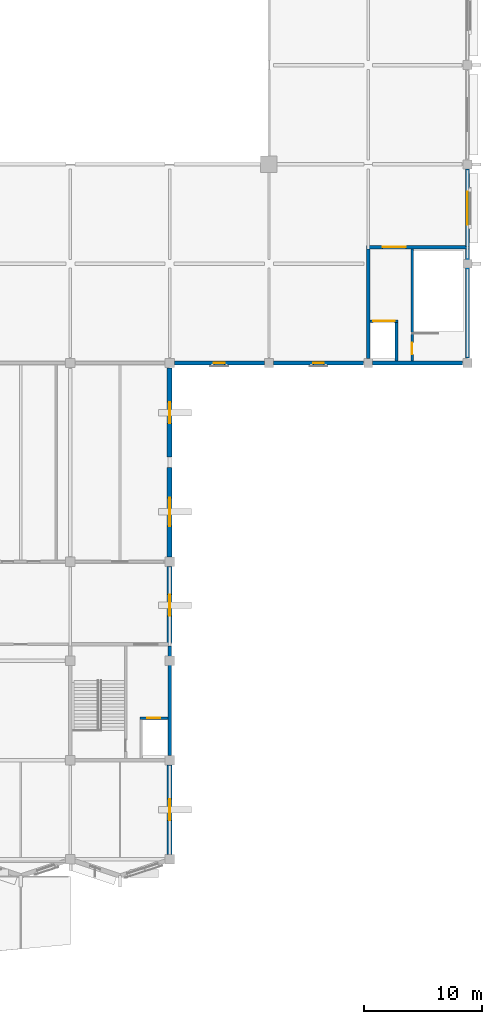
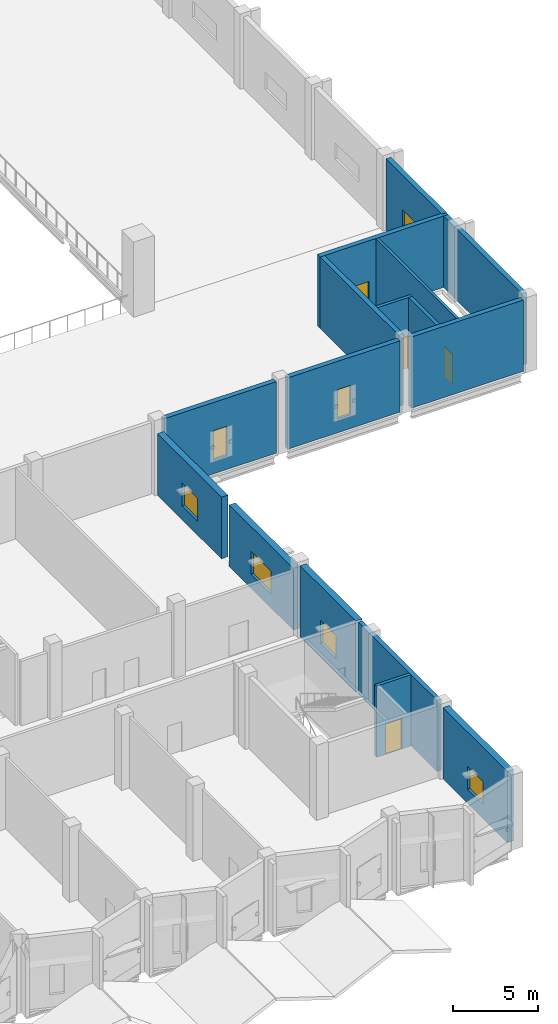
# One storey, part 58 of 72: 16 walls, 7 windows, 4 doors, 11 openings.
"""IFC4 building model written with IfcOpenShell, lengths in metres."""

from ifc_helpers import new_model, si_unit, direction, frame, frame_2d, origin, place, context, subcontext, project, spatial, rectangle, extrude, material, layer, layer_set, type_object, element, fill, save


model = new_model("IFC4")

# Units and contexts
model_context = context("Model", 3, precision=1e-05, world=origin(), true_north=direction((0.0, 1.0)))
body_context = subcontext(model_context, "Body", "Model", "MODEL_VIEW")
ifc_project = project(units=[si_unit("LENGTHUNIT", "METRE"), si_unit("AREAUNIT", "SQUARE_METRE"), si_unit("VOLUMEUNIT", "CUBIC_METRE"), si_unit("PLANEANGLEUNIT", "RADIAN"), si_unit("MASSUNIT", "GRAM", prefix="KILO")], contexts=[model_context])

# Site, building, storey
site_placement = place(None, origin())
site = spatial("IfcSite", under=ifc_project, at=site_placement, CompositionType="ELEMENT")
building_placement = place(site_placement, origin())
building = spatial("IfcBuilding", under=site, at=building_placement, Name="Qawsi Khor Wholesale Market", CompositionType="ELEMENT")
storey_placement = place(building_placement, frame((0.0, 0.0, 6.0)))
storey = spatial("IfcBuildingStorey", under=building, at=storey_placement, Name="L01", CompositionType="ELEMENT", Elevation=6.0)

# Wall
ifc_material_1 = material(Name="Concrete C40/50", Category="concrete")
ifc_layer_1 = layer(ifc_material_1, 0.300048828125, Name="Concrete C40/50")
ifc_layer_set_1 = layer_set([ifc_layer_1], Name="Concrete C40/50")
wall_type_1 = type_object("IfcWallType", Name="Core Shear Wall RC 300 C40/50", PredefinedType="SHEAR", material=ifc_layer_set_1)
wall_1_placement = place(storey_placement, frame((193.199951171875, 18.050048828125, 0.0), z_axis=(0.0, 0.0, 1.0), x_axis=(0.0, -1.0, 0.0)))
element("IfcWall", 1, at=wall_1_placement, inside=storey, type_object=wall_type_1, Name="Core C06 east shear wall L01", PredefinedType="SHEAR", context=body_context, shape_type="SweptSolid", body=[
    extrude(rectangle(XDim=9.2451171875, YDim=0.300048828125, at=frame_2d((4.62255859375, 0.0))), origin(), (0.0, 0.0, 1.0), 5.1201171875),
])

# Wall, opening, window
ifc_layer_2 = layer(ifc_material_1, 0.330078125, Name="Concrete C40/50")
ifc_layer_set_2 = layer_set([ifc_layer_2], Name="Concrete C40/50")
wall_type_2 = type_object("IfcWallType", Name="Fish Hall Precast Insulated Wall 330", PredefinedType="SOLIDWALL", material=ifc_layer_set_2)
wall_2_placement = place(storey_placement, frame((218.39990234375, 58.419921875, 0.0), z_axis=(0.0, 0.0, 1.0), x_axis=(0.0, -1.0, 0.0)))
wall_2 = element("IfcWall", 2, at=wall_2_placement, inside=storey, type_object=wall_type_2, Name="EW-L01-EHE-06", PredefinedType="SOLIDWALL", context=body_context, shape_type="SweptSolid", body=[
    extrude(rectangle(XDim=6.56982421875, YDim=0.330078125, at=frame_2d((3.284912109375, 0.0))), origin(), (0.0, 0.0, 1.0), 5.1298828125),
])
opening_1_placement = place(wall_2_placement, frame((1.93505859375, 0.0, 1.5)))
opening_1 = element("IfcOpeningElement", 3, at=opening_1_placement, cuts=wall_2, Name="Opening W-15", PredefinedType="OPENING", context=body_context, shape_type="SweptSolid", body=[
    extrude(rectangle(XDim=2.800048828125, YDim=1.14990234375, at=frame_2d((1.39990234375, 0.574951171875))), frame((0.0, 0.175048828125, 0.0), z_axis=(0.0, -1.0, 0.0), x_axis=(1.0, 0.0, 0.0)), (0.0, 0.0, 1.0), 0.35009765625),
])
ifc_material_2 = material(Name="Thermally Broken Aluminium & Low-E Glass", Category="aluminium")
window_type_1 = type_object("IfcWindowType", Name="Win W-15 Fish Hall High Vent 2800x1150", PartitioningType="SINGLE_PANEL", PredefinedType="WINDOW", material=ifc_material_2)
window_1_placement = place(opening_1_placement, origin())
window_1 = element("IfcWindow", 4, at=window_1_placement, inside=storey, type_object=window_type_1, Name="Win W-15 Fish Hall High Vent 2800x1150 184", OverallHeight=1.14990234375, OverallWidth=2.800048828125, PartitioningType="SINGLE_PANEL", PredefinedType="WINDOW", context=body_context, shape_type="SweptSolid", body=[
    extrude(rectangle(XDim=2.800048828125, YDim=1.14990234375, at=frame_2d((1.39990234375, 0.574951171875))), frame((0.0, 0.030029296875, 0.0), z_axis=(0.0, -1.0, 0.0), x_axis=(1.0, 0.0, 0.0)), (0.0, 0.0, 1.0), 0.06005859375),
])
fill(opening_1, window_1)

wall_3_placement = place(storey_placement, frame((201.219970703125, 42.0, 0.0), z_axis=(0.0, 0.0, 1.0), x_axis=(-1.0, 0.0, 0.0)))
wall_3 = element("IfcWall", 5, at=wall_3_placement, inside=storey, type_object=wall_type_2, Name="EW-L01-EHS-23", PredefinedType="SOLIDWALL", context=body_context, shape_type="SweptSolid", body=[
    extrude(rectangle(XDim=7.614990234375, YDim=0.330078125, at=frame_2d((3.8076171875, 0.0))), origin(), (0.0, 0.0, 1.0), 5.1298828125),
])
opening_2_placement = place(wall_3_placement, frame((3.3701171875, 0.0, 1.0)))
opening_2 = element("IfcOpeningElement", 6, at=opening_2_placement, cuts=wall_3, Name="Opening W-02", PredefinedType="OPENING", context=body_context, shape_type="SweptSolid", body=[
    extrude(rectangle(XDim=0.89990234375, YDim=2.10009765625, at=frame_2d((0.449951171875, 1.050048828125))), frame((0.0, 0.175048828125, 0.0), z_axis=(0.0, -1.0, 0.0), x_axis=(1.0, 0.0, 0.0)), (0.0, 0.0, 1.0), 0.35009765625),
])
window_type_2 = type_object("IfcWindowType", Name="Win W-02 Deep-Set Narrow 900x2100", PartitioningType="SINGLE_PANEL", PredefinedType="WINDOW", material=ifc_material_2)
window_2_placement = place(opening_2_placement, origin())
window_2 = element("IfcWindow", 7, at=window_2_placement, inside=storey, type_object=window_type_2, Name="Win W-02 Deep-Set Narrow 900x2100 190", OverallHeight=2.10009765625, OverallWidth=0.89990234375, PartitioningType="SINGLE_PANEL", PredefinedType="WINDOW", context=body_context, shape_type="SweptSolid", body=[
    extrude(rectangle(XDim=0.89990234375, YDim=2.10009765625, at=frame_2d((0.449951171875, 1.050048828125))), frame((0.0, 0.030029296875, 0.0), z_axis=(0.0, -1.0, 0.0), x_axis=(1.0, 0.0, 0.0)), (0.0, 0.0, 1.0), 0.06005859375),
])
fill(opening_2, window_2)

wall_4_placement = place(storey_placement, frame((209.6201171875, 42.0, 0.0), z_axis=(0.0, 0.0, 1.0), x_axis=(-1.0, 0.0, 0.0)))
wall_4 = element("IfcWall", 8, at=wall_4_placement, inside=storey, type_object=wall_type_2, Name="EW-L01-EHS-24", PredefinedType="SOLIDWALL", context=body_context, shape_type="SweptSolid", body=[
    extrude(rectangle(XDim=7.64013671875, YDim=0.330078125, at=frame_2d((3.820068359375, 0.0))), origin(), (0.0, 0.0, 1.0), 5.1298828125),
])
opening_3_placement = place(wall_4_placement, frame((3.3701171875, 0.0, 1.0)))
opening_3 = element("IfcOpeningElement", 9, at=opening_3_placement, cuts=wall_4, Name="Opening W-02", PredefinedType="OPENING", context=body_context, shape_type="SweptSolid", body=[
    extrude(rectangle(XDim=0.89990234375, YDim=2.10009765625, at=frame_2d((0.449951171875, 1.050048828125))), frame((0.0, 0.175048828125, 0.0), z_axis=(0.0, -1.0, 0.0), x_axis=(1.0, 0.0, 0.0)), (0.0, 0.0, 1.0), 0.35009765625),
])
window_3_placement = place(opening_3_placement, origin())
window_3 = element("IfcWindow", 10, at=window_3_placement, inside=storey, type_object=window_type_2, Name="Win W-02 Deep-Set Narrow 900x2100 191", OverallHeight=2.10009765625, OverallWidth=0.89990234375, PartitioningType="SINGLE_PANEL", PredefinedType="WINDOW", context=body_context, shape_type="SweptSolid", body=[
    extrude(rectangle(XDim=0.89990234375, YDim=2.10009765625, at=frame_2d((0.449951171875, 1.050048828125))), frame((0.0, 0.030029296875, 0.0), z_axis=(0.0, -1.0, 0.0), x_axis=(1.0, 0.0, 0.0)), (0.0, 0.0, 1.0), 0.06005859375),
])
fill(opening_3, window_3)

# Walls
ifc_layer_3 = layer(ifc_material_1, 0.320068359375, Name="Concrete C40/50")
ifc_layer_set_3 = layer_set([ifc_layer_3], Name="Concrete C40/50")
wall_type_3 = type_object("IfcWallType", Name="Hall Lateral Shear Wall RC 320 C40/50", PredefinedType="SHEAR", material=ifc_layer_set_3)
wall_5_placement = place(storey_placement, frame((217.9951171875, 42.0, 0.0), z_axis=(0.0, 0.0, 1.0), x_axis=(-1.0, 0.0, 0.0)))
element("IfcWall", 11, at=wall_5_placement, inside=storey, type_object=wall_type_3, Name="Core C11 south shear wall L01", PredefinedType="SHEAR", context=body_context, shape_type="SweptSolid", body=[
    extrude(rectangle(XDim=7.615234375, YDim=0.320068359375, at=frame_2d((3.8076171875, 0.0))), origin(), (0.0, 0.0, 1.0), 5.1201171875),
])
wall_6_placement = place(storey_placement, frame((210.0, 42.3798828125, 0.0), z_axis=(0.0, 0.0, 1.0), x_axis=(0.0, 1.0, 0.0)))
element("IfcWall", 12, at=wall_6_placement, inside=storey, type_object=wall_type_3, Name="Core C11 west shear wall L01", PredefinedType="SHEAR", context=body_context, shape_type="SweptSolid", body=[
    extrude(rectangle(XDim=9.260009765625, YDim=0.320068359375, at=frame_2d((4.6298828125, 0.0))), origin(), (0.0, 0.0, 1.0), 5.1201171875),
])

# Wall, opening, door
wall_7_placement = place(storey_placement, frame((209.840087890625, 51.800048828125, 0.0), z_axis=(0.0, 0.0, 1.0), x_axis=(1.0, 0.0, 0.0)))
wall_7 = element("IfcWall", 13, at=wall_7_placement, inside=storey, type_object=wall_type_3, Name="Core C11 north shear wall L01", PredefinedType="SHEAR", context=body_context, shape_type="SweptSolid", body=[
    extrude(rectangle(XDim=8.719970703125, YDim=0.320068359375, at=frame_2d((4.35986328125, 0.0))), origin(), (0.0, 0.0, 1.0), 5.1201171875),
])
opening_4_placement = place(wall_7_placement, frame((1.3798828125, 0.0, 0.0)))
opening_4 = element("IfcOpeningElement", 14, at=opening_4_placement, cuts=wall_7, Name="Opening ID-01", PredefinedType="OPENING", context=body_context, shape_type="SweptSolid", body=[
    extrude(rectangle(XDim=1.9599609375, YDim=2.199951171875, at=frame_2d((0.97998046875, 1.10009765625))), frame((0.0, 0.169921875, 0.0), z_axis=(0.0, -1.0, 0.0), x_axis=(1.0, 0.0, 0.0)), (0.0, 0.0, 1.0), 0.340087890625),
])
ifc_material_3 = material(Name="Steel Fire Door", Category="steel")
door_type_1 = type_object("IfcDoorType", Name="Stair & Core Fire Door 1960x2200 FD90S", OperationType="NOTDEFINED", PredefinedType="DOOR", material=ifc_material_3)
door_1_placement = place(opening_4_placement, origin())
door_1 = element("IfcDoor", 15, at=door_1_placement, inside=storey, type_object=door_type_1, Name="Core C11 fire door L01", OperationType="DOUBLE_DOOR_SINGLE_SWING", OverallHeight=2.199951171875, OverallWidth=1.9599609375, PredefinedType="DOOR", context=body_context, shape_type="SweptSolid", body=[
    extrude(rectangle(XDim=1.9599609375, YDim=2.199951171875, at=frame_2d((0.97998046875, 1.10009765625))), frame((0.0, 0.02490234375, 0.0), z_axis=(0.0, -1.0, 0.0), x_axis=(1.0, 0.0, 0.0)), (0.0, 0.0, 1.0), 0.050048828125),
])
fill(opening_4, door_1)

# Wall
wall_8_placement = place(storey_placement, frame((218.39990234375, 51.639892578125, 0.0), z_axis=(0.0, 0.0, 1.0), x_axis=(0.0, -1.0, 0.0)))
element("IfcWall", 16, at=wall_8_placement, inside=storey, type_object=wall_type_3, Name="Core C11 east shear wall L01", PredefinedType="SHEAR", context=body_context, shape_type="SweptSolid", body=[
    extrude(rectangle(XDim=9.23486328125, YDim=0.320068359375, at=frame_2d((4.617431640625, 0.0))), origin(), (0.0, 0.0, 1.0), 5.1201171875),
])

# Wall, opening, door
ifc_layer_4 = layer(ifc_material_1, 0.219970703125, Name="Concrete C40/50")
ifc_layer_set_4 = layer_set([ifc_layer_4], Name="Concrete C40/50")
wall_type_4 = type_object("IfcWallType", Name="Lift & Stair Shaft Wall RC 220", PredefinedType="SOLIDWALL", material=ifc_layer_set_4)
wall_9_placement = place(storey_placement, frame((190.699951171875, 11.949951171875, 0.0), z_axis=(0.0, 0.0, 1.0), x_axis=(1.0, 0.0, 0.0)))
wall_9 = element("IfcWall", 17, at=wall_9_placement, inside=storey, type_object=wall_type_4, Name="Lift PL-04 shaft wall N L01", PredefinedType="SOLIDWALL", context=body_context, shape_type="SweptSolid", body=[
    extrude(rectangle(XDim=2.340087890625, YDim=0.219970703125, at=frame_2d((1.169921875, 0.0))), origin(), (0.0, 0.0, 1.0), 5.1201171875),
])
opening_5_placement = place(wall_9_placement, frame((0.6201171875, 0.0, 0.0)))
opening_5 = element("IfcOpeningElement", 18, at=opening_5_placement, cuts=wall_9, Name="Opening LD-P110", PredefinedType="OPENING", context=body_context, shape_type="SweptSolid", body=[
    extrude(rectangle(XDim=1.10009765625, YDim=2.199951171875, at=frame_2d((0.550048828125, 1.10009765625))), frame((0.0, 0.119873046875, 0.0), z_axis=(0.0, -1.0, 0.0), x_axis=(1.0, 0.0, 0.0)), (0.0, 0.0, 1.0), 0.239990234375),
])
ifc_material_4 = material(Name="Brushed Stainless Steel", Category="steel")
door_type_2 = type_object("IfcDoorType", Name="Passenger Lift Landing Sliding Door 1100x2200 FD90S", OperationType="NOTDEFINED", PredefinedType="DOOR", material=ifc_material_4)
door_2_placement = place(opening_5_placement, origin())
door_2 = element("IfcDoor", 19, at=door_2_placement, inside=storey, type_object=door_type_2, Name="Lift PL-04 landing door L01", OperationType="SLIDING_TO_RIGHT", OverallHeight=2.199951171875, OverallWidth=1.10009765625, PredefinedType="DOOR", context=body_context, shape_type="SweptSolid", body=[
    extrude(rectangle(XDim=1.10009765625, YDim=2.199951171875, at=frame_2d((0.550048828125, 1.10009765625))), frame((0.0, 0.02490234375, 0.0), z_axis=(0.0, -1.0, 0.0), x_axis=(1.0, 0.0, 0.0)), (0.0, 0.0, 1.0), 0.050048828125),
])
fill(opening_5, door_2)

# Wall
wall_10_placement = place(storey_placement, frame((212.389892578125, 42.159912109375, 0.0), z_axis=(0.0, 0.0, 1.0), x_axis=(0.0, 1.0, 0.0)))
element("IfcWall", 20, at=wall_10_placement, inside=storey, type_object=wall_type_4, Name="Lift GL-03 shaft wall E L01", PredefinedType="SOLIDWALL", context=body_context, shape_type="SweptSolid", body=[
    extrude(rectangle(XDim=3.39013671875, YDim=0.219970703125, at=frame_2d((1.695068359375, 0.0))), origin(), (0.0, 0.0, 1.0), 5.1201171875),
])

# Wall, opening, door
wall_11_placement = place(storey_placement, frame((210.159912109375, 45.550048828125, 0.0), z_axis=(0.0, 0.0, 1.0), x_axis=(1.0, 0.0, 0.0)))
wall_11 = element("IfcWall", 21, at=wall_11_placement, inside=storey, type_object=wall_type_4, Name="Lift GL-03 shaft wall N L01", PredefinedType="SOLIDWALL", context=body_context, shape_type="SweptSolid", body=[
    extrude(rectangle(XDim=2.340087890625, YDim=0.219970703125, at=frame_2d((1.169921875, 0.0))), origin(), (0.0, 0.0, 1.0), 5.1201171875),
])
opening_6_placement = place(wall_11_placement, frame((0.260009765625, 0.0, 0.0)))
opening_6 = element("IfcOpeningElement", 22, at=opening_6_placement, cuts=wall_11, Name="Opening LD-G180", PredefinedType="OPENING", context=body_context, shape_type="SweptSolid", body=[
    extrude(rectangle(XDim=1.820068359375, YDim=2.39990234375, at=frame_2d((0.91015625, 1.199951171875))), frame((0.0, 0.119873046875, 0.0), z_axis=(0.0, -1.0, 0.0), x_axis=(1.0, 0.0, 0.0)), (0.0, 0.0, 1.0), 0.239990234375),
])
ifc_material_5 = material(Name="Heavy-Duty Stainless Steel", Category="steel")
door_type_3 = type_object("IfcDoorType", Name="Goods Lift Landing Sliding Door 1820x2400 FD90S", OperationType="NOTDEFINED", PredefinedType="DOOR", material=ifc_material_5)
door_3_placement = place(opening_6_placement, origin())
door_3 = element("IfcDoor", 23, at=door_3_placement, inside=storey, type_object=door_type_3, Name="Lift GL-03 landing door L01", OperationType="SLIDING_TO_RIGHT", OverallHeight=2.39990234375, OverallWidth=1.820068359375, PredefinedType="DOOR", context=body_context, shape_type="SweptSolid", body=[
    extrude(rectangle(XDim=1.820068359375, YDim=2.39990234375, at=frame_2d((0.91015625, 1.199951171875))), frame((0.0, 0.02490234375, 0.0), z_axis=(0.0, -1.0, 0.0), x_axis=(1.0, 0.0, 0.0)), (0.0, 0.0, 1.0), 0.050048828125),
])
fill(opening_6, door_3)

# Wall, opening, window
ifc_layer_5 = layer(ifc_material_1, 0.429931640625, Name="Concrete C40/50")
ifc_layer_set_5 = layer_set([ifc_layer_5], Name="Concrete C40/50")
wall_type_5 = type_object("IfcWallType", Name="Sculpted Ribbed Concrete Facade Wall 430", PredefinedType="SOLIDWALL", material=ifc_layer_set_5)
wall_12_placement = place(storey_placement, frame((193.199951171875, 7.9951171875, 0.0), z_axis=(0.0, 0.0, 1.0), x_axis=(0.0, -1.0, 0.0)))
wall_12 = element("IfcWall", 24, at=wall_12_placement, inside=storey, type_object=wall_type_5, Name="EW-L01-SWE-0", PredefinedType="SOLIDWALL", context=body_context, shape_type="SweptSolid", body=[
    extrude(rectangle(XDim=7.590087890625, YDim=0.429931640625, at=frame_2d((3.794921875, 0.0))), origin(), (0.0, 0.0, 1.0), 5.1201171875),
])
opening_7_placement = place(wall_12_placement, frame((2.89501953125, 0.0, 1.0)))
opening_7 = element("IfcOpeningElement", 25, at=opening_7_placement, cuts=wall_12, Name="Opening W-05", PredefinedType="OPENING", context=body_context, shape_type="SweptSolid", body=[
    extrude(rectangle(XDim=1.800048828125, YDim=1.64990234375, at=frame_2d((0.89990234375, 0.824951171875))), frame((0.0, 0.224853515625, 0.0), z_axis=(0.0, -1.0, 0.0), x_axis=(1.0, 0.0, 0.0)), (0.0, 0.0, 1.0), 0.449951171875),
])
window_type_3 = type_object("IfcWindowType", Name="Win W-05 Traders Office Double 1800x1650", PartitioningType="SINGLE_PANEL", PredefinedType="WINDOW", material=ifc_material_2)
window_4_placement = place(opening_7_placement, origin())
window_4 = element("IfcWindow", 26, at=window_4_placement, inside=storey, type_object=window_type_3, Name="Win W-05 Traders Office Double 1800x1650 115", OverallHeight=1.64990234375, OverallWidth=1.800048828125, PartitioningType="SINGLE_PANEL", PredefinedType="WINDOW", context=body_context, shape_type="SweptSolid", body=[
    extrude(rectangle(XDim=1.800048828125, YDim=1.64990234375, at=frame_2d((0.89990234375, 0.824951171875))), frame((0.0, 0.030029296875, 0.0), z_axis=(0.0, -1.0, 0.0), x_axis=(1.0, 0.0, 0.0)), (0.0, 0.0, 1.0), 0.06005859375),
])
fill(opening_7, window_4)

wall_13_placement = place(storey_placement, frame((193.199951171875, 24.794921875, 0.0), z_axis=(0.0, 0.0, 1.0), x_axis=(0.0, -1.0, 0.0)))
wall_13 = element("IfcWall", 27, at=wall_13_placement, inside=storey, type_object=wall_type_5, Name="EW-L01-SWE-2", PredefinedType="SOLIDWALL", context=body_context, shape_type="SweptSolid", body=[
    extrude(rectangle(XDim=6.544921875, YDim=0.429931640625, at=frame_2d((3.2724609375, 0.0))), origin(), (0.0, 0.0, 1.0), 5.1201171875),
])
opening_8_placement = place(wall_13_placement, frame((2.39501953125, 0.0, 1.0)))
opening_8 = element("IfcOpeningElement", 28, at=opening_8_placement, cuts=wall_13, Name="Opening W-05", PredefinedType="OPENING", context=body_context, shape_type="SweptSolid", body=[
    extrude(rectangle(XDim=1.800048828125, YDim=1.64990234375, at=frame_2d((0.89990234375, 0.824951171875))), frame((0.0, 0.224853515625, 0.0), z_axis=(0.0, -1.0, 0.0), x_axis=(1.0, 0.0, 0.0)), (0.0, 0.0, 1.0), 0.449951171875),
])
window_5_placement = place(opening_8_placement, origin())
window_5 = element("IfcWindow", 29, at=window_5_placement, inside=storey, type_object=window_type_3, Name="Win W-05 Traders Office Double 1800x1650 116", OverallHeight=1.64990234375, OverallWidth=1.800048828125, PartitioningType="SINGLE_PANEL", PredefinedType="WINDOW", context=body_context, shape_type="SweptSolid", body=[
    extrude(rectangle(XDim=1.800048828125, YDim=1.64990234375, at=frame_2d((0.89990234375, 0.824951171875))), frame((0.0, 0.030029296875, 0.0), z_axis=(0.0, -1.0, 0.0), x_axis=(1.0, 0.0, 0.0)), (0.0, 0.0, 1.0), 0.06005859375),
])
fill(opening_8, window_5)

wall_14_placement = place(storey_placement, frame((193.199951171875, 33.14990234375, 0.0), z_axis=(0.0, 0.0, 1.0), x_axis=(0.0, -1.0, 0.0)))
wall_14 = element("IfcWall", 30, at=wall_14_placement, inside=storey, type_object=wall_type_5, Name="EW-L01-SWE-3", PredefinedType="SOLIDWALL", context=body_context, shape_type="SweptSolid", body=[
    extrude(rectangle(XDim=7.544921875, YDim=0.429931640625, at=frame_2d((3.7724609375, 0.0))), origin(), (0.0, 0.0, 1.0), 4.429931640625),
])
opening_9_placement = place(wall_14_placement, frame((2.550048828125, 0.0, 1.0)))
opening_9 = element("IfcOpeningElement", 31, at=opening_9_placement, cuts=wall_14, Name="Opening W-06", PredefinedType="OPENING", context=body_context, shape_type="SweptSolid", body=[
    extrude(rectangle(XDim=2.39990234375, YDim=1.64990234375, at=frame_2d((1.199951171875, 0.824951171875))), frame((0.0, 0.224853515625, 0.0), z_axis=(0.0, -1.0, 0.0), x_axis=(1.0, 0.0, 0.0)), (0.0, 0.0, 1.0), 0.449951171875),
])
window_type_4 = type_object("IfcWindowType", Name="Win W-06 Traders Office Triple 2400x1650", PartitioningType="SINGLE_PANEL", PredefinedType="WINDOW", material=ifc_material_2)
window_6_placement = place(opening_9_placement, origin())
window_6 = element("IfcWindow", 32, at=window_6_placement, inside=storey, type_object=window_type_4, Name="Win W-06 Traders Office Triple 2400x1650 117", OverallHeight=1.64990234375, OverallWidth=2.39990234375, PartitioningType="SINGLE_PANEL", PredefinedType="WINDOW", context=body_context, shape_type="SweptSolid", body=[
    extrude(rectangle(XDim=2.39990234375, YDim=1.64990234375, at=frame_2d((1.199951171875, 0.824951171875))), frame((0.0, 0.030029296875, 0.0), z_axis=(0.0, -1.0, 0.0), x_axis=(1.0, 0.0, 0.0)), (0.0, 0.0, 1.0), 0.06005859375),
])
fill(opening_9, window_6)

wall_15_placement = place(storey_placement, frame((193.199951171875, 41.594970703125, 0.0), z_axis=(0.0, 0.0, 1.0), x_axis=(0.0, -1.0, 0.0)))
wall_15 = element("IfcWall", 33, at=wall_15_placement, inside=storey, type_object=wall_type_5, Name="EW-L01-SWE-4", PredefinedType="SOLIDWALL", context=body_context, shape_type="SweptSolid", body=[
    extrude(rectangle(XDim=7.544921875, YDim=0.429931640625, at=frame_2d((3.7724609375, 0.0))), origin(), (0.0, 0.0, 1.0), 4.429931640625),
])
opening_10_placement = place(wall_15_placement, frame((2.89501953125, 0.0, 1.0)))
opening_10 = element("IfcOpeningElement", 34, at=opening_10_placement, cuts=wall_15, Name="Opening W-05", PredefinedType="OPENING", context=body_context, shape_type="SweptSolid", body=[
    extrude(rectangle(XDim=1.800048828125, YDim=1.64990234375, at=frame_2d((0.89990234375, 0.824951171875))), frame((0.0, 0.224853515625, 0.0), z_axis=(0.0, -1.0, 0.0), x_axis=(1.0, 0.0, 0.0)), (0.0, 0.0, 1.0), 0.449951171875),
])
window_7_placement = place(opening_10_placement, origin())
window_7 = element("IfcWindow", 35, at=window_7_placement, inside=storey, type_object=window_type_3, Name="Win W-05 Traders Office Double 1800x1650 118", OverallHeight=1.64990234375, OverallWidth=1.800048828125, PartitioningType="SINGLE_PANEL", PredefinedType="WINDOW", context=body_context, shape_type="SweptSolid", body=[
    extrude(rectangle(XDim=1.800048828125, YDim=1.64990234375, at=frame_2d((0.89990234375, 0.824951171875))), frame((0.0, 0.030029296875, 0.0), z_axis=(0.0, -1.0, 0.0), x_axis=(1.0, 0.0, 0.0)), (0.0, 0.0, 1.0), 0.06005859375),
])
fill(opening_10, window_7)

# Wall, opening, door
ifc_layer_6 = layer(ifc_material_1, 0.18994140625, Name="Concrete C40/50")
ifc_layer_set_6 = layer_set([ifc_layer_6], Name="Concrete C40/50")
wall_type_6 = type_object("IfcWallType", Name="Stairwell Enclosure Wall RC 190", PredefinedType="SOLIDWALL", material=ifc_layer_set_6)
wall_16_placement = place(storey_placement, frame((213.719970703125, 42.159912109375, 0.0), z_axis=(0.0, 0.0, 1.0), x_axis=(0.0, 1.0, 0.0)))
wall_16 = element("IfcWall", 36, at=wall_16_placement, inside=storey, type_object=wall_type_6, Name="Core C11 stairwell enclosure wall L01", PredefinedType="SOLIDWALL", context=body_context, shape_type="SweptSolid", body=[
    extrude(rectangle(XDim=9.47998046875, YDim=0.18994140625, at=frame_2d((4.739990234375, 0.0))), origin(), (0.0, 0.0, 1.0), 5.1201171875),
])
opening_11_placement = place(wall_16_placement, frame((0.580078125, 0.0, 0.0)))
opening_11 = element("IfcOpeningElement", 37, at=opening_11_placement, cuts=wall_16, Name="Opening ID-17", PredefinedType="OPENING", context=body_context, shape_type="SweptSolid", body=[
    extrude(rectangle(XDim=0.97998046875, YDim=2.14990234375, at=frame_2d((0.489990234375, 1.074951171875))), frame((0.0, 0.10498046875, 0.0), z_axis=(0.0, -1.0, 0.0), x_axis=(1.0, 0.0, 0.0)), (0.0, 0.0, 1.0), 0.2099609375),
])
door_type_4 = type_object("IfcDoorType", Name="Core Stair Lobby Fire Door 980x2150 FD120S", OperationType="NOTDEFINED", PredefinedType="DOOR", material=ifc_material_3)
door_4_placement = place(opening_11_placement, origin())
door_4 = element("IfcDoor", 38, at=door_4_placement, inside=storey, type_object=door_type_4, Name="Core C11 stair enclosure fire door L01", OperationType="SINGLE_SWING_RIGHT", OverallHeight=2.14990234375, OverallWidth=0.97998046875, PredefinedType="DOOR", context=body_context, shape_type="SweptSolid", body=[
    extrude(rectangle(XDim=0.97998046875, YDim=2.14990234375, at=frame_2d((0.489990234375, 1.074951171875))), frame((0.0, 0.02490234375, 0.0), z_axis=(0.0, -1.0, 0.0), x_axis=(1.0, 0.0, 0.0)), (0.0, 0.0, 1.0), 0.050048828125),
])
fill(opening_11, door_4)

save(model, "model.ifc")
